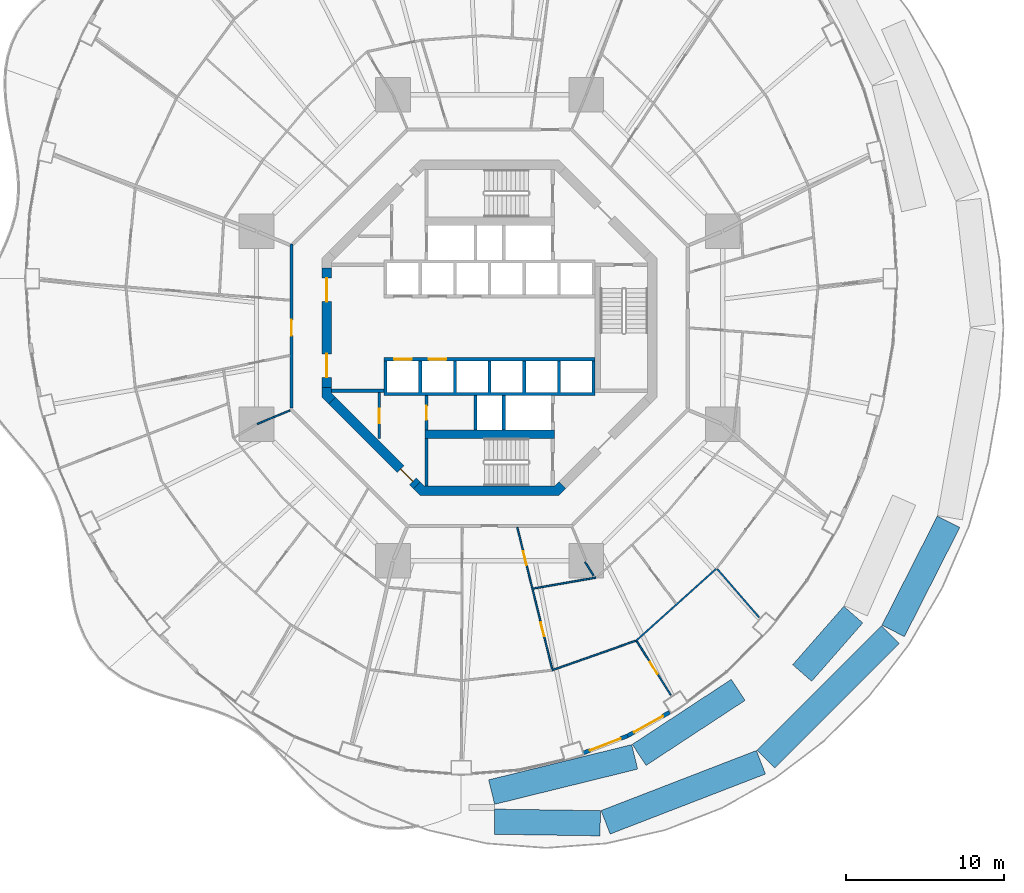
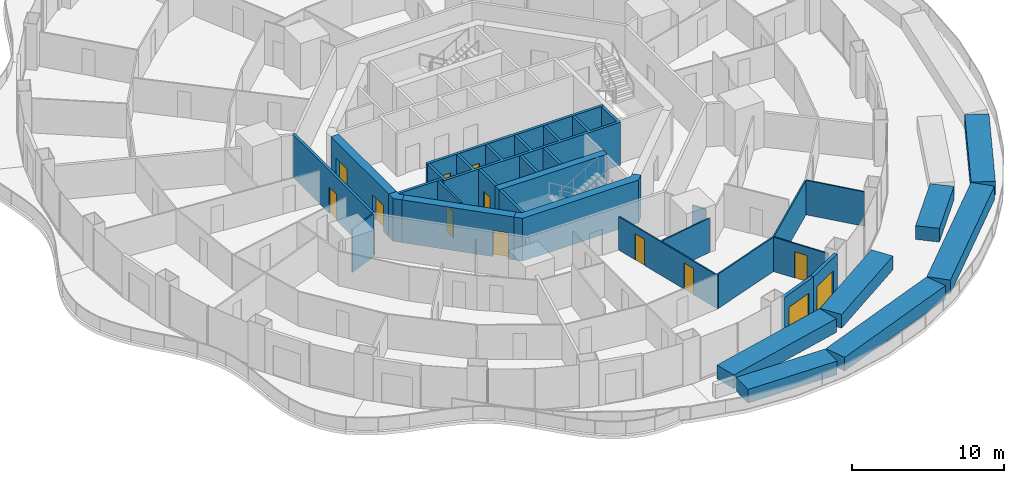
# One storey, part 15 of 22: 31 walls, 13 doors, 13 openings.
"""IFC4 building model written with IfcOpenShell, lengths in metres."""

from ifc_helpers import new_model, si_unit, direction, frame, frame_2d, origin, place, context, subcontext, project, spatial, polyline, rectangle, outline, extrude, material, layer, layer_set, type_object, element, fill, save


model = new_model("IFC4")

# Units and contexts
model_context = context("Model", 3, precision=1e-05, world=origin(), true_north=direction((0.0, 1.0)))
body_context = subcontext(model_context, "Body", "Model", "MODEL_VIEW")
ifc_project = project(units=[si_unit("LENGTHUNIT", "METRE"), si_unit("AREAUNIT", "SQUARE_METRE"), si_unit("VOLUMEUNIT", "CUBIC_METRE"), si_unit("PLANEANGLEUNIT", "RADIAN"), si_unit("MASSUNIT", "GRAM", prefix="KILO")], contexts=[model_context])

# Site, building, storey
site_placement = place(None, origin())
site = spatial("IfcSite", under=ifc_project, at=site_placement, CompositionType="ELEMENT")
building_placement = place(site_placement, origin())
building = spatial("IfcBuilding", under=site, at=building_placement, Name="Nagisa Residences", CompositionType="ELEMENT")
storey_placement = place(building_placement, frame((0.0, 0.0, 73.300048828125)))
storey = spatial("IfcBuildingStorey", under=building, at=storey_placement, Name="L17", CompositionType="ELEMENT", Elevation=73.300048828125)

# Wall, opening, door
ifc_material_1 = material(Name="Gypsum board on steel studs", Category="steel")
ifc_layer_1 = layer(ifc_material_1, 0.199951171875)
ifc_layer_set_1 = layer_set([ifc_layer_1], Name="Apartment entry wall EI60 200")
wall_type_1 = type_object("IfcWallType", Name="Apartment entry wall EI60 200", PredefinedType="PARTITIONING", material=ifc_layer_set_1)
wall_1_placement = place(storey_placement, frame((-12.564697265625, 5.304443359375, 0.0), z_axis=(0.0, 0.0, 1.0), x_axis=(0.0, -1.0, 0.0)))
wall_1 = element("IfcWall", 1, at=wall_1_placement, inside=storey, type_object=wall_type_1, Name="wall:L17:u12", PredefinedType="PARTITIONING", context=body_context, shape_type="SweptSolid", body=[
    extrude(rectangle(XDim=10.408935546875, YDim=0.199951171875, at=frame_2d((5.20458984375, 0.0))), origin(), (0.0, 0.0, 1.0), 3.43994140625),
])
opening_1_placement = place(wall_1_placement, frame((4.804443359375, 0.0, 0.0)))
opening_1 = element("IfcOpeningElement", 2, at=opening_1_placement, cuts=wall_1, Name="Opening L17-U22", PredefinedType="OPENING", context=body_context, shape_type="SweptSolid", body=[
    extrude(rectangle(XDim=1.0, YDim=2.10009765625, at=frame_2d((0.5, 1.050048828125))), frame((0.0, 0.10986328125, 0.0), z_axis=(0.0, -1.0, 0.0), x_axis=(1.0, 0.0, 0.0)), (0.0, 0.0, 1.0), 0.219970703125),
])
ifc_material_2 = material(Name="Timber fire door set", Category="wood")
door_type_1 = type_object("IfcDoorType", Name="Apartment entry door FD30S 1000x2100", OperationType="NOTDEFINED", PredefinedType="DOOR", material=ifc_material_2)
door_1_placement = place(opening_1_placement, frame((1.0, 0.0, 0.0), x_axis=(-1.0, 0.0, 0.0)))
door_1 = element("IfcDoor", 3, at=door_1_placement, inside=storey, type_object=door_type_1, Name="Entry door, Apartment 17B", OperationType="SINGLE_SWING_LEFT", OverallHeight=2.10009765625, OverallWidth=1.0, PredefinedType="DOOR", context=body_context, shape_type="SweptSolid", body=[
    extrude(rectangle(XDim=1.0, YDim=2.10009765625, at=frame_2d((0.5, 1.050048828125))), frame((0.0, 0.02490234375, 0.0), z_axis=(0.0, -1.0, 0.0), x_axis=(1.0, 0.0, 0.0)), (0.0, 0.0, 1.0), 0.050048828125),
])
fill(opening_1, door_1)

# Wall
ifc_material_3 = material(Name="Gypsum board on steel studs", Category="steel")
ifc_layer_2 = layer(ifc_material_3, 0.10009765625)
ifc_layer_set_2 = layer_set([ifc_layer_2], Name="Apartment partition 100")
wall_type_2 = type_object("IfcWallType", Name="Apartment partition 100", PredefinedType="PARTITIONING", material=ifc_layer_set_2)
wall_2_placement = place(storey_placement, frame((-12.6572265625, -5.24267578125, 0.0), z_axis=(0.0, 0.0, 1.0), x_axis=(-0.923864733477, -0.382719158442, 0.0)))
element("IfcWall", 4, at=wall_2_placement, inside=storey, type_object=wall_type_2, Name="wall:L17:u61", PredefinedType="PARTITIONING", context=body_context, shape_type="SweptSolid", body=[
    extrude(rectangle(XDim=2.25, YDim=0.10009765625, at=frame_2d((1.125, 0.0))), origin(), (0.0, 0.0, 1.0), 3.43994140625),
])

# Wall, openings, doors
wall_3_placement = place(storey_placement, frame((1.7587890625, -12.661865234375, 0.0), z_axis=(0.0, 0.0, 1.0), x_axis=(0.239022447434, -0.971014041929, 0.0)))
wall_3 = element("IfcWall", 5, at=wall_3_placement, inside=storey, type_object=wall_type_2, Name="wall:L17:u78", PredefinedType="PARTITIONING", context=body_context, shape_type="SweptSolid", body=[
    extrude(rectangle(XDim=9.37353515625, YDim=0.10009765625, at=frame_2d((4.686767578125, 0.0))), origin(), (0.0, 0.0, 1.0), 2.68701171875),
])
opening_2_placement = place(wall_3_placement, frame((1.552001953125, 0.0, 0.0)))
opening_2 = element("IfcOpeningElement", 6, at=opening_2_placement, cuts=wall_3, Name="Opening L17-U38", PredefinedType="OPENING", context=body_context, shape_type="SweptSolid", body=[
    extrude(rectangle(XDim=0.89990234375, YDim=2.10009765625, at=frame_2d((0.449951171875, 1.050048828125))), frame((0.0, 0.06005859375, 0.0), z_axis=(0.0, -1.0, 0.0), x_axis=(1.0, 0.0, 0.0)), (0.0, 0.0, 1.0), 0.1201171875),
])
opening_3_placement = place(wall_3_placement, frame((6.213623046875, 0.0, 0.0)))
opening_3 = element("IfcOpeningElement", 7, at=opening_3_placement, cuts=wall_3, Name="Opening L17-U40", PredefinedType="OPENING", context=body_context, shape_type="SweptSolid", body=[
    extrude(rectangle(XDim=0.89990234375, YDim=2.10009765625, at=frame_2d((0.449951171875, 1.050048828125))), frame((0.0, 0.06005859375, 0.0), z_axis=(0.0, -1.0, 0.0), x_axis=(1.0, 0.0, 0.0)), (0.0, 0.0, 1.0), 0.1201171875),
])
ifc_material_4 = material(Name="Timber door set", Category="wood")
door_type_2 = type_object("IfcDoorType", Name="Apartment door 900x2100", OperationType="NOTDEFINED", PredefinedType="DOOR", material=ifc_material_4)
door_2_placement = place(opening_2_placement, origin())
door_2 = element("IfcDoor", 8, at=door_2_placement, inside=storey, type_object=door_type_2, Name="Door to family bathroom, Apartment 17C", OperationType="SINGLE_SWING_RIGHT", OverallHeight=2.10009765625, OverallWidth=0.89990234375, PredefinedType="DOOR", context=body_context, shape_type="SweptSolid", body=[
    extrude(rectangle(XDim=0.89990234375, YDim=2.10009765625, at=frame_2d((0.449951171875, 1.050048828125))), frame((0.0, 0.02490234375, 0.0), z_axis=(0.0, -1.0, 0.0), x_axis=(1.0, 0.0, 0.0)), (0.0, 0.0, 1.0), 0.050048828125),
])
fill(opening_2, door_2)
door_3_placement = place(opening_3_placement, origin())
door_3 = element("IfcDoor", 9, at=door_3_placement, inside=storey, type_object=door_type_2, Name="Door to dining room, Apartment 17C", OperationType="SINGLE_SWING_RIGHT", OverallHeight=2.10009765625, OverallWidth=0.89990234375, PredefinedType="DOOR", context=body_context, shape_type="SweptSolid", body=[
    extrude(rectangle(XDim=0.89990234375, YDim=2.10009765625, at=frame_2d((0.449951171875, 1.050048828125))), frame((0.0, 0.02490234375, 0.0), z_axis=(0.0, -1.0, 0.0), x_axis=(1.0, 0.0, 0.0)), (0.0, 0.0, 1.0), 0.050048828125),
])
fill(opening_3, door_3)

# Walls
wall_4_placement = place(storey_placement, frame((2.76513671875, -16.541015625, 0.0), z_axis=(0.0, 0.0, 1.0), x_axis=(0.985002709003, 0.172538874623, 0.0)))
element("IfcWall", 10, at=wall_4_placement, inside=storey, type_object=wall_type_2, Name="wall:L17:u79", PredefinedType="PARTITIONING", context=body_context, shape_type="SweptSolid", body=[
    extrude(rectangle(XDim=4.0341796875, YDim=0.10009765625, at=frame_2d((2.01708984375, 0.0))), origin(), (0.0, 0.0, 1.0), 2.761962890625),
])
wall_5_placement = place(storey_placement, frame((4.034423828125, -21.698486328125, 0.0), z_axis=(0.0, 0.0, 1.0), x_axis=(0.942864271692, 0.333177077794, 0.0)))
element("IfcWall", 11, at=wall_5_placement, inside=storey, type_object=wall_type_2, Name="wall:L17:u80", PredefinedType="PARTITIONING", context=body_context, shape_type="SweptSolid", body=[
    extrude(rectangle(XDim=5.544921875, YDim=0.10009765625, at=frame_2d((2.7724609375, 0.0))), origin(), (0.0, 0.0, 1.0), 2.761962890625),
])

# Wall, opening, door
wall_6_placement = place(storey_placement, frame((9.336181640625, -19.876708984375, 0.0), z_axis=(0.0, 0.0, 1.0), x_axis=(0.533525984139, -0.845783674617, 0.0)))
wall_6 = element("IfcWall", 12, at=wall_6_placement, inside=storey, type_object=wall_type_2, Name="wall:L17:u83", PredefinedType="PARTITIONING", context=body_context, shape_type="SweptSolid", body=[
    extrude(rectangle(XDim=4.03271484375, YDim=0.10009765625, at=frame_2d((2.016357421875, 0.0))), origin(), (0.0, 0.0, 1.0), 2.761962890625),
])
opening_4_placement = place(wall_6_placement, frame((1.56640625, 0.0, 0.0)))
opening_4 = element("IfcOpeningElement", 13, at=opening_4_placement, cuts=wall_6, Name="Opening L17-U43", PredefinedType="OPENING", context=body_context, shape_type="SweptSolid", body=[
    extrude(rectangle(XDim=0.89990234375, YDim=2.10009765625, at=frame_2d((0.449951171875, 1.050048828125))), frame((0.0, 0.06005859375, 0.0), z_axis=(0.0, -1.0, 0.0), x_axis=(1.0, 0.0, 0.0)), (0.0, 0.0, 1.0), 0.1201171875),
])
door_4_placement = place(opening_4_placement, origin())
door_4 = element("IfcDoor", 14, at=door_4_placement, inside=storey, type_object=door_type_2, Name="Door to master bedroom, Apartment 17C", OperationType="SINGLE_SWING_LEFT", OverallHeight=2.10009765625, OverallWidth=0.89990234375, PredefinedType="DOOR", context=body_context, shape_type="SweptSolid", body=[
    extrude(rectangle(XDim=0.89990234375, YDim=2.10009765625, at=frame_2d((0.449951171875, 1.050048828125))), frame((0.0, 0.02490234375, 0.0), z_axis=(0.0, -1.0, 0.0), x_axis=(1.0, 0.0, 0.0)), (0.0, 0.0, 1.0), 0.050048828125),
])
fill(opening_4, door_4)

# Walls
wall_7_placement = place(storey_placement, frame((9.2724609375, -19.86767578125, 0.0), z_axis=(0.0, 0.0, 1.0), x_axis=(0.743884413566, 0.668308296562, 0.0)))
element("IfcWall", 15, at=wall_7_placement, inside=storey, type_object=wall_type_2, Name="wall:L17:u84", PredefinedType="PARTITIONING", context=body_context, shape_type="SweptSolid", body=[
    extrude(rectangle(XDim=6.84521484375, YDim=0.10009765625, at=frame_2d((3.422607421875, 0.0))), origin(), (0.0, 0.0, 1.0), 2.761962890625),
])
wall_8_placement = place(storey_placement, frame((14.4345703125, -15.29736328125, 0.0), z_axis=(0.0, 0.0, 1.0), x_axis=(0.654405107766, -0.756144136345, 0.0)))
element("IfcWall", 16, at=wall_8_placement, inside=storey, type_object=wall_type_2, Name="wall:L17:u87", PredefinedType="PARTITIONING", context=body_context, shape_type="SweptSolid", body=[
    extrude(rectangle(XDim=4.06982421875, YDim=0.10009765625, at=frame_2d((2.034912109375, 0.0))), origin(), (0.0, 0.0, 1.0), 2.761962890625),
])
wall_9_placement = place(storey_placement, frame((6.050537109375, -14.854736328125, 0.0), z_axis=(0.0, 0.0, 1.0), x_axis=(0.533542828537, -0.845773048824, 0.0)))
element("IfcWall", 17, at=wall_9_placement, inside=storey, type_object=wall_type_2, Name="wall:L17:u93", PredefinedType="PARTITIONING", context=body_context, shape_type="SweptSolid", body=[
    extrude(rectangle(XDim=1.0205078125, YDim=0.10009765625, at=frame_2d((0.51025390625, 0.0))), origin(), (0.0, 0.0, 1.0), 3.43994140625),
])

# Wall, opening, door
ifc_material_5 = material(Name="Precast concrete C40/50", Category="concrete")
ifc_layer_3 = layer(ifc_material_5, 0.25)
ifc_layer_set_3 = layer_set([ifc_layer_3], Name="BALCONY DOOR WALL 250")
wall_type_3 = type_object("IfcWallType", Name="BALCONY DOOR WALL 250", PredefinedType="SOLIDWALL", material=ifc_layer_set_3)
wall_10_placement = place(storey_placement, frame((8.75341796875, -25.8818359375, 0.0), z_axis=(0.0, 0.0, 1.0), x_axis=(-0.932837560624, -0.360297218263, 0.0)))
wall_10 = element("IfcWall", 18, at=wall_10_placement, inside=storey, type_object=wall_type_3, Name="wall:L17:bay38", PredefinedType="SOLIDWALL", context=body_context, shape_type="SweptSolid", body=[
    extrude(rectangle(XDim=3.027587890625, YDim=0.25, at=frame_2d((1.513671875, 0.0))), origin(), (0.0, 0.0, 1.0), 3.43994140625),
])
opening_5_placement = place(wall_10_placement, frame((0.463623046875, 0.0, 0.0)))
opening_5 = element("IfcOpeningElement", 19, at=opening_5_placement, cuts=wall_10, Name="Opening BD-L17-13", PredefinedType="OPENING", context=body_context, shape_type="SweptSolid", body=[
    extrude(rectangle(XDim=2.10009765625, YDim=2.39990234375, at=frame_2d((1.050048828125, 1.199951171875))), frame((0.0, 0.135009765625, 0.0), z_axis=(0.0, -1.0, 0.0), x_axis=(1.0, 0.0, 0.0)), (0.0, 0.0, 1.0), 0.27001953125),
])
ifc_material_6 = material(Name="Aluminium and clear glass", Category="aluminium")
door_type_3 = type_object("IfcDoorType", Name="BALCONY SLIDING DOOR 2100x2400", OperationType="SLIDING_TO_LEFT", PredefinedType="DOOR", material=ifc_material_6)
door_5_placement = place(opening_5_placement, origin())
door_5 = element("IfcDoor", 20, at=door_5_placement, inside=storey, type_object=door_type_3, Name="door:L17:bay38", OperationType="SLIDING_TO_LEFT", OverallHeight=2.39990234375, OverallWidth=2.10009765625, PredefinedType="DOOR", context=body_context, shape_type="SweptSolid", body=[
    extrude(rectangle(XDim=2.10009765625, YDim=2.39990234375, at=frame_2d((1.050048828125, 1.199951171875))), frame((0.0, 0.02490234375, 0.0), z_axis=(0.0, -1.0, 0.0), x_axis=(1.0, 0.0, 0.0)), (0.0, 0.0, 1.0), 0.050048828125),
])
fill(opening_5, door_5)

wall_11_placement = place(storey_placement, frame((11.41943359375, -24.38427734375, 0.0), z_axis=(0.0, 0.0, 1.0), x_axis=(-0.872071158476, -0.489379090843, 0.0)))
wall_11 = element("IfcWall", 21, at=wall_11_placement, inside=storey, type_object=wall_type_3, Name="wall:L17:bay39", PredefinedType="SOLIDWALL", context=body_context, shape_type="SweptSolid", body=[
    extrude(rectangle(XDim=3.07568359375, YDim=0.25, at=frame_2d((1.537841796875, 0.0))), origin(), (0.0, 0.0, 1.0), 3.43994140625),
])
opening_6_placement = place(wall_11_placement, frame((0.48779296875, 0.0, 0.0)))
opening_6 = element("IfcOpeningElement", 22, at=opening_6_placement, cuts=wall_11, Name="Opening BD-L17-14", PredefinedType="OPENING", context=body_context, shape_type="SweptSolid", body=[
    extrude(rectangle(XDim=2.10009765625, YDim=2.39990234375, at=frame_2d((1.050048828125, 1.199951171875))), frame((0.0, 0.135009765625, 0.0), z_axis=(0.0, -1.0, 0.0), x_axis=(1.0, 0.0, 0.0)), (0.0, 0.0, 1.0), 0.27001953125),
])
door_6_placement = place(opening_6_placement, origin())
door_6 = element("IfcDoor", 23, at=door_6_placement, inside=storey, type_object=door_type_3, Name="door:L17:bay39", OperationType="SLIDING_TO_LEFT", OverallHeight=2.39990234375, OverallWidth=2.10009765625, PredefinedType="DOOR", context=body_context, shape_type="SweptSolid", body=[
    extrude(rectangle(XDim=2.10009765625, YDim=2.39990234375, at=frame_2d((1.050048828125, 1.199951171875))), frame((0.0, 0.02490234375, 0.0), z_axis=(0.0, -1.0, 0.0), x_axis=(1.0, 0.0, 0.0)), (0.0, 0.0, 1.0), 0.050048828125),
])
fill(opening_6, door_6)

ifc_material_7 = material(Name="Gypsum board on steel studs", Category="steel")
ifc_layer_4 = layer(ifc_material_7, 0.14990234375)
ifc_layer_set_4 = layer_set([ifc_layer_4], Name="Core partition 150")
wall_type_4 = type_object("IfcWallType", Name="Core partition 150", PredefinedType="PARTITIONING", material=ifc_layer_set_4)
wall_12_placement = place(storey_placement, frame((-7.0, -7.02685546875, 0.0), z_axis=(0.0, 0.0, 1.0), x_axis=(0.0, 1.0, 0.0)))
wall_12 = element("IfcWall", 24, at=wall_12_placement, inside=storey, type_object=wall_type_4, Name="wall:L17:SWp", PredefinedType="PARTITIONING", context=body_context, shape_type="SweptSolid", body=[
    extrude(rectangle(XDim=2.9267578125, YDim=0.14990234375, at=frame_2d((1.46337890625, 0.0))), origin(), (0.0, 0.0, 1.0), 3.43994140625),
])
opening_7_placement = place(wall_12_placement, frame((0.97607421875, 0.0, 0.0)))
opening_7 = element("IfcOpeningElement", 25, at=opening_7_placement, cuts=wall_12, Name="Opening L17-C14", PredefinedType="OPENING", context=body_context, shape_type="SweptSolid", body=[
    extrude(rectangle(XDim=0.89990234375, YDim=2.10009765625, at=frame_2d((0.449951171875, 1.050048828125))), frame((0.0, 0.0849609375, 0.0), z_axis=(0.0, -1.0, 0.0), x_axis=(1.0, 0.0, 0.0)), (0.0, 0.0, 1.0), 0.169921875),
])
ifc_material_8 = material(Name="Steel fire door", Category="steel")
door_type_4 = type_object("IfcDoorType", Name="Fire door EI30 900x2100 single swing", OperationType="NOTDEFINED", PredefinedType="DOOR", material=ifc_material_8)
door_7_placement = place(opening_7_placement, origin())
door_7 = element("IfcDoor", 26, at=door_7_placement, inside=storey, type_object=door_type_4, Name="Refuse room door L17", OperationType="SINGLE_SWING_RIGHT", OverallHeight=2.10009765625, OverallWidth=0.89990234375, PredefinedType="DOOR", context=body_context, shape_type="SweptSolid", body=[
    extrude(rectangle(XDim=0.89990234375, YDim=2.10009765625, at=frame_2d((0.449951171875, 1.050048828125))), frame((0.0, 0.02490234375, 0.0), z_axis=(0.0, -1.0, 0.0), x_axis=(1.0, 0.0, 0.0)), (0.0, 0.0, 1.0), 0.050048828125),
])
fill(opening_7, door_7)

# Wall
ifc_material_9 = material(Name="Gypsum board on steel studs", Category="steel")
ifc_layer_5 = layer(ifc_material_9, 0.199951171875)
ifc_layer_set_5 = layer_set([ifc_layer_5], Name="Core partition 200")
wall_type_5 = type_object("IfcWallType", Name="Core partition 200", PredefinedType="PARTITIONING", material=ifc_layer_set_5)
wall_13_placement = place(storey_placement, frame((-10.024658203125, -4.0, 0.0), z_axis=(0.0, 0.0, 1.0), x_axis=(1.0, 0.0, 0.0)))
element("IfcWall", 27, at=wall_13_placement, inside=storey, type_object=wall_type_5, Name="wall:L17:PSW", PredefinedType="PARTITIONING", context=body_context, shape_type="SweptSolid", body=[
    extrude(rectangle(XDim=3.32470703125, YDim=0.199951171875, at=frame_2d((1.662353515625, 0.0))), origin(), (0.0, 0.0, 1.0), 3.43994140625),
])

# Wall, openings, doors
ifc_material_10 = material(Name="Concrete C60", Category="concrete")
ifc_layer_6 = layer(ifc_material_10, 0.60009765625)
ifc_layer_set_6 = layer_set([ifc_layer_6], Name="Core shear wall 600")
wall_type_6 = type_object("IfcWallType", Name="Core shear wall 600", PredefinedType="SHEAR", material=ifc_layer_set_6)
wall_14_placement = place(storey_placement, frame((-10.32470703125, 3.80078125, 0.0), z_axis=(0.0, 0.0, 1.0), x_axis=(0.0, -1.0, 0.0)))
wall_14 = element("IfcWall", 28, at=wall_14_placement, inside=storey, type_object=wall_type_6, Name="wall:L17:core:flat4", PredefinedType="SHEAR", context=body_context, shape_type="SweptSolid", body=[
    extrude(rectangle(XDim=7.6015625, YDim=0.60009765625, at=frame_2d((3.80078125, 0.0))), origin(), (0.0, 0.0, 1.0), 3.43994140625),
])
opening_8_placement = place(wall_14_placement, frame((0.65087890625, 0.0, 0.0)))
opening_8 = element("IfcOpeningElement", 29, at=opening_8_placement, cuts=wall_14, Name="Opening L17-C18", PredefinedType="OPENING", context=body_context, shape_type="SweptSolid", body=[
    extrude(rectangle(XDim=1.5, YDim=2.10009765625, at=frame_2d((0.75, 1.050048828125))), frame((0.0, 0.31005859375, 0.0), z_axis=(0.0, -1.0, 0.0), x_axis=(1.0, 0.0, 0.0)), (0.0, 0.0, 1.0), 0.6201171875),
])
opening_9_placement = place(wall_14_placement, frame((5.450927734375, 0.0, 0.0)))
opening_9 = element("IfcOpeningElement", 30, at=opening_9_placement, cuts=wall_14, Name="Opening L17-C19", PredefinedType="OPENING", context=body_context, shape_type="SweptSolid", body=[
    extrude(rectangle(XDim=1.5, YDim=2.10009765625, at=frame_2d((0.75, 1.050048828125))), frame((0.0, 0.31005859375, 0.0), z_axis=(0.0, -1.0, 0.0), x_axis=(1.0, 0.0, 0.0)), (0.0, 0.0, 1.0), 0.6201171875),
])
ifc_material_11 = material(Name="Steel fire door", Category="steel")
door_type_5 = type_object("IfcDoorType", Name="Fire door EI60 1500x2100 double door single swing", OperationType="DOUBLE_DOOR_SINGLE_SWING", PredefinedType="DOOR", material=ifc_material_11)
door_8_placement = place(opening_8_placement, origin())
door_8 = element("IfcDoor", 31, at=door_8_placement, inside=storey, type_object=door_type_5, Name="Lift lobby door L17 1", OperationType="DOUBLE_DOOR_SINGLE_SWING", OverallHeight=2.10009765625, OverallWidth=1.5, PredefinedType="DOOR", context=body_context, shape_type="SweptSolid", body=[
    extrude(rectangle(XDim=1.5, YDim=2.10009765625, at=frame_2d((0.75, 1.050048828125))), frame((0.0, 0.02490234375, 0.0), z_axis=(0.0, -1.0, 0.0), x_axis=(1.0, 0.0, 0.0)), (0.0, 0.0, 1.0), 0.050048828125),
])
fill(opening_8, door_8)
door_9_placement = place(opening_9_placement, origin())
door_9 = element("IfcDoor", 32, at=door_9_placement, inside=storey, type_object=door_type_5, Name="Lift lobby door L17 2", OperationType="DOUBLE_DOOR_SINGLE_SWING", OverallHeight=2.10009765625, OverallWidth=1.5, PredefinedType="DOOR", context=body_context, shape_type="SweptSolid", body=[
    extrude(rectangle(XDim=1.5, YDim=2.10009765625, at=frame_2d((0.75, 1.050048828125))), frame((0.0, 0.02490234375, 0.0), z_axis=(0.0, -1.0, 0.0), x_axis=(1.0, 0.0, 0.0)), (0.0, 0.0, 1.0), 0.050048828125),
])
fill(opening_9, door_9)

# Wall, opening, door
wall_15_placement = place(storey_placement, frame((-9.98828125, -4.613037109375, 0.0), z_axis=(0.0, 0.0, 1.0), x_axis=(0.707106781187, -0.707106781187, 0.0)))
wall_15 = element("IfcWall", 33, at=wall_15_placement, inside=storey, type_object=wall_type_6, Name="wall:L17:core:flat5", PredefinedType="SHEAR", context=body_context, shape_type="SweptSolid", body=[
    extrude(rectangle(XDim=7.601806640625, YDim=0.60009765625, at=frame_2d((3.80078125, 0.0))), origin(), (0.0, 0.0, 1.0), 3.43994140625),
])
opening_10_placement = place(wall_15_placement, frame((6.15087890625, 0.0, 0.0)))
opening_10 = element("IfcOpeningElement", 34, at=opening_10_placement, cuts=wall_15, Name="Opening L17-C21", PredefinedType="OPENING", context=body_context, shape_type="SweptSolid", body=[
    extrude(rectangle(XDim=1.10009765625, YDim=2.10009765625, at=frame_2d((0.550048828125, 1.050048828125))), frame((0.0, 0.31005859375, 0.0), z_axis=(0.0, -1.0, 0.0), x_axis=(1.0, 0.0, 0.0)), (0.0, 0.0, 1.0), 0.6201171875),
])
ifc_material_12 = material(Name="Steel fire door", Category="steel")
door_type_6 = type_object("IfcDoorType", Name="Fire door EI60 1100x2100 single swing", OperationType="NOTDEFINED", PredefinedType="DOOR", material=ifc_material_12)
door_10_placement = place(opening_10_placement, origin())
door_10 = element("IfcDoor", 35, at=door_10_placement, inside=storey, type_object=door_type_6, Name="Housekeeping lobby door L17", OperationType="SINGLE_SWING_LEFT", OverallHeight=2.10009765625, OverallWidth=1.10009765625, PredefinedType="DOOR", context=body_context, shape_type="SweptSolid", body=[
    extrude(rectangle(XDim=1.10009765625, YDim=2.10009765625, at=frame_2d((0.550048828125, 1.050048828125))), frame((0.0, 0.02490234375, 0.0), z_axis=(0.0, -1.0, 0.0), x_axis=(1.0, 0.0, 0.0)), (0.0, 0.0, 1.0), 0.050048828125),
])
fill(opening_10, door_10)

# Walls
wall_16_placement = place(storey_placement, origin())
element("IfcWall", 36, at=wall_16_placement, inside=storey, type_object=wall_type_6, Name="wall:L17:core:pier4", PredefinedType="SHEAR", context=body_context, shape_type="SweptSolid", body=[
    extrude(outline(polyline([(-10.62451171875, -3.80078125), (-10.024658203125, -3.80078125), (-10.024658203125, -4.15234375), (-9.776123046875, -4.40087890625), (-10.200439453125, -4.8251953125), (-10.62451171875, -4.40087890625), (-10.62451171875, -3.80078125)])), origin(), (0.0, 0.0, 1.0), 3.43994140625),
])
wall_17_placement = place(storey_placement, origin())
element("IfcWall", 37, at=wall_17_placement, inside=storey, type_object=wall_type_6, Name="wall:L17:core:flat6", PredefinedType="SHEAR", context=body_context, shape_type="SweptSolid", body=[
    extrude(outline(polyline([(-4.15234375, -10.024658203125), (4.15234375, -10.024658203125), (4.40087890625, -9.776123046875), (4.8251953125, -10.200439453125), (4.40087890625, -10.62451171875), (-4.40087890625, -10.62451171875), (-4.8251953125, -10.200439453125), (-4.40087890625, -9.776123046875), (-4.15234375, -10.024658203125)])), origin(), (0.0, 0.0, 1.0), 3.43994140625),
])

# Wall, opening, door
ifc_material_13 = material(Name="Concrete C60", Category="concrete")
ifc_layer_7 = layer(ifc_material_13, 0.199951171875)
ifc_layer_set_7 = layer_set([ifc_layer_7], Name="Lift shaft wall 200")
wall_type_7 = type_object("IfcWallType", Name="Lift shaft wall 200", PredefinedType="SOLIDWALL", material=ifc_layer_set_7)
wall_18_placement = place(storey_placement, frame((-4.0, -6.5, 0.0), z_axis=(0.0, 0.0, 1.0), x_axis=(0.0, 1.0, 0.0)))
wall_18 = element("IfcWall", 38, at=wall_18_placement, inside=storey, type_object=wall_type_7, Name="wall:L17:Sb4", PredefinedType="SOLIDWALL", context=body_context, shape_type="SweptSolid", body=[
    extrude(rectangle(XDim=2.199951171875, YDim=0.199951171875, at=frame_2d((1.10009765625, 0.0))), origin(), (0.0, 0.0, 1.0), 3.43994140625),
])
opening_11_placement = place(wall_18_placement, frame((0.64990234375, 0.0, 0.0)))
opening_11 = element("IfcOpeningElement", 39, at=opening_11_placement, cuts=wall_18, Name="Opening L17-C15", PredefinedType="OPENING", context=body_context, shape_type="SweptSolid", body=[
    extrude(rectangle(XDim=0.89990234375, YDim=2.10009765625, at=frame_2d((0.449951171875, 1.050048828125))), frame((0.0, 0.10986328125, 0.0), z_axis=(0.0, -1.0, 0.0), x_axis=(1.0, 0.0, 0.0)), (0.0, 0.0, 1.0), 0.219970703125),
])
door_11_placement = place(opening_11_placement, frame((0.89990234375, 0.0, 0.0), x_axis=(-1.0, 0.0, 0.0)))
door_11 = element("IfcDoor", 40, at=door_11_placement, inside=storey, type_object=door_type_4, Name="Refuse room door L17", OperationType="SINGLE_SWING_LEFT", OverallHeight=2.10009765625, OverallWidth=0.89990234375, PredefinedType="DOOR", context=body_context, shape_type="SweptSolid", body=[
    extrude(rectangle(XDim=0.89990234375, YDim=2.10009765625, at=frame_2d((0.449951171875, 1.050048828125))), frame((0.0, 0.02490234375, 0.0), z_axis=(0.0, -1.0, 0.0), x_axis=(1.0, 0.0, 0.0)), (0.0, 0.0, 1.0), 0.050048828125),
])
fill(opening_11, door_11)

# Wall, openings, doors
wall_19_placement = place(storey_placement, frame((-6.699951171875, -2.0, 0.0), z_axis=(0.0, 0.0, 1.0), x_axis=(1.0, 0.0, 0.0)))
wall_19 = element("IfcWall", 41, at=wall_19_placement, inside=storey, type_object=wall_type_7, Name="wall:L17:Sfront", PredefinedType="SOLIDWALL", context=body_context, shape_type="SweptSolid", body=[
    extrude(rectangle(XDim=13.39990234375, YDim=0.199951171875, at=frame_2d((6.699951171875, 0.0))), origin(), (0.0, 0.0, 1.0), 3.43994140625),
])
opening_12_placement = place(wall_19_placement, frame((0.64990234375, 0.0, 0.0)))
opening_12 = element("IfcOpeningElement", 42, at=opening_12_placement, cuts=wall_19, Name="Opening L17-C04", PredefinedType="OPENING", context=body_context, shape_type="SweptSolid", body=[
    extrude(rectangle(XDim=1.10009765625, YDim=2.10009765625, at=frame_2d((0.550048828125, 1.050048828125))), frame((0.0, 0.10986328125, 0.0), z_axis=(0.0, -1.0, 0.0), x_axis=(1.0, 0.0, 0.0)), (0.0, 0.0, 1.0), 0.219970703125),
])
opening_13_placement = place(wall_19_placement, frame((2.85009765625, 0.0, 0.0)))
opening_13 = element("IfcOpeningElement", 43, at=opening_13_placement, cuts=wall_19, Name="Opening L17-C05", PredefinedType="OPENING", context=body_context, shape_type="SweptSolid", body=[
    extrude(rectangle(XDim=1.10009765625, YDim=2.10009765625, at=frame_2d((0.550048828125, 1.050048828125))), frame((0.0, 0.10986328125, 0.0), z_axis=(0.0, -1.0, 0.0), x_axis=(1.0, 0.0, 0.0)), (0.0, 0.0, 1.0), 0.219970703125),
])
ifc_material_14 = material(Name="Stainless steel", Category="steel")
door_type_7 = type_object("IfcDoorType", Name="Lift landing door 1100x2100", OperationType="DOUBLE_DOOR_SLIDING", PredefinedType="DOOR", material=ifc_material_14)
door_12_placement = place(opening_12_placement, origin())
door_12 = element("IfcDoor", 44, at=door_12_placement, inside=storey, type_object=door_type_7, Name="Landing door A4 L17", OperationType="DOUBLE_DOOR_SLIDING", OverallHeight=2.10009765625, OverallWidth=1.10009765625, PredefinedType="DOOR", context=body_context, shape_type="SweptSolid", body=[
    extrude(rectangle(XDim=1.10009765625, YDim=2.10009765625, at=frame_2d((0.550048828125, 1.050048828125))), frame((0.0, 0.02490234375, 0.0), z_axis=(0.0, -1.0, 0.0), x_axis=(1.0, 0.0, 0.0)), (0.0, 0.0, 1.0), 0.050048828125),
])
fill(opening_12, door_12)
door_13_placement = place(opening_13_placement, origin())
door_13 = element("IfcDoor", 45, at=door_13_placement, inside=storey, type_object=door_type_7, Name="Landing door A5 L17", OperationType="DOUBLE_DOOR_SLIDING", OverallHeight=2.10009765625, OverallWidth=1.10009765625, PredefinedType="DOOR", context=body_context, shape_type="SweptSolid", body=[
    extrude(rectangle(XDim=1.10009765625, YDim=2.10009765625, at=frame_2d((0.550048828125, 1.050048828125))), frame((0.0, 0.02490234375, 0.0), z_axis=(0.0, -1.0, 0.0), x_axis=(1.0, 0.0, 0.0)), (0.0, 0.0, 1.0), 0.050048828125),
])
fill(opening_13, door_13)

# Walls
for number, where, z_axis, x_axis, name in (
    (46, (-0.89990234375, -6.5, 0.0), (0.0, 0.0, 1.0), (0.0, 1.0, 0.0), "wall:L17:Sb1"),
    (47, (0.89990234375, -6.5, 0.0), (0.0, 0.0, 1.0), (0.0, 1.0, 0.0), "wall:L17:Sb2"),
):
    element("IfcWall", number, at=place(storey_placement, frame(where, z_axis=z_axis, x_axis=x_axis)), inside=storey, type_object=wall_type_7, Name=name, PredefinedType="SOLIDWALL", context=body_context, shape_type="SweptSolid", body=[
        extrude(rectangle(XDim=2.199951171875, YDim=0.199951171875, at=frame_2d((1.10009765625, 0.0))), origin(), (0.0, 0.0, 1.0), 3.43994140625),
    ])
wall_20_placement = place(storey_placement, origin())
element("IfcWall", 48, at=wall_20_placement, inside=storey, type_object=wall_type_7, Name="wall:L17:Sback", PredefinedType="SOLIDWALL", context=body_context, shape_type="SweptSolid", body=[
    extrude(outline(polyline([(-6.699951171875, -2.10009765625), (-6.5, -2.10009765625), (-6.5, -4.10009765625), (-4.5, -4.10009765625), (-4.5, -2.10009765625), (-4.300048828125, -2.10009765625), (-4.300048828125, -4.10009765625), (-2.300048828125, -4.10009765625), (-2.300048828125, -2.10009765625), (-2.10009765625, -2.10009765625), (-2.10009765625, -4.10009765625), (-0.10009765625, -4.10009765625), (-0.10009765625, -2.10009765625), (0.10009765625, -2.10009765625), (0.10009765625, -4.10009765625), (2.10009765625, -4.10009765625), (2.10009765625, -2.10009765625), (2.300048828125, -2.10009765625), (2.300048828125, -4.10009765625), (4.300048828125, -4.10009765625), (4.300048828125, -2.10009765625), (4.5, -2.10009765625), (4.5, -4.10009765625), (6.5, -4.10009765625), (6.5, -2.10009765625), (6.699951171875, -2.10009765625), (6.699951171875, -4.300048828125), (-6.699951171875, -4.300048828125), (-6.699951171875, -2.10009765625)])), origin(), (0.0, 0.0, 1.0), 3.43994140625),
])
ifc_material_15 = material(Name="Precast concrete C30/37", Category="concrete")
ifc_layer_8 = layer(ifc_material_15, 1.60009765625)
ifc_layer_set_8 = layer_set([ifc_layer_8], Name="PLANTER")
wall_type_8 = type_object("IfcWallType", Name="PLANTER", PredefinedType="SOLIDWALL", material=ifc_layer_set_8)
wall_21_placement = place(storey_placement, frame((0.128173828125, -29.44921875, 0.0), z_axis=(0.0, 0.0, 1.0), x_axis=(0.970994070272, 0.239103566467, 0.0)))
element("IfcWall", 49, at=wall_21_placement, inside=storey, type_object=wall_type_8, Name="planter:L17:garden002", PredefinedType="SOLIDWALL", context=body_context, shape_type="SweptSolid", body=[
    extrude(rectangle(XDim=9.34375, YDim=1.60009765625, at=frame_2d((4.671875, 0.0))), origin(), (0.0, 0.0, 1.0), 1.099853515625),
])
wall_22_placement = place(storey_placement, frame((7.01708984375, -31.42578125, 0.0), z_axis=(0.0, 0.0, 1.0), x_axis=(-0.999888716248, 0.014918281429, 0.0)))
element("IfcWall", 50, at=wall_22_placement, inside=storey, type_object=wall_type_8, Name="planter:L17:garden003", PredefinedType="SOLIDWALL", context=body_context, shape_type="SweptSolid", body=[
    extrude(rectangle(XDim=6.709716796875, YDim=1.60009765625, at=frame_2d((3.35498046875, 0.0))), origin(), (0.0, 0.0, 1.0), 1.099853515625),
])
wall_23_placement = place(storey_placement, frame((9.485107421875, -27.09130859375, 0.0), z_axis=(0.0, 0.0, 1.0), x_axis=(0.8357902563, 0.549048857091, 0.0)))
element("IfcWall", 51, at=wall_23_placement, inside=storey, type_object=wall_type_8, Name="planter:L17:garden004", PredefinedType="SOLIDWALL", context=body_context, shape_type="SweptSolid", body=[
    extrude(rectangle(XDim=7.513916015625, YDim=1.60009765625, at=frame_2d((3.7568359375, 0.0))), origin(), (0.0, 0.0, 1.0), 1.099853515625),
])
wall_24_placement = place(storey_placement, frame((17.208984375, -27.557373046875, 0.0), z_axis=(0.0, 0.0, 1.0), x_axis=(-0.932765991622, -0.360482461255, 0.0)))
element("IfcWall", 52, at=wall_24_placement, inside=storey, type_object=wall_type_8, Name="planter:L17:garden005", PredefinedType="SOLIDWALL", context=body_context, shape_type="SweptSolid", body=[
    extrude(rectangle(XDim=10.563232421875, YDim=1.60009765625, at=frame_2d((5.28173828125, 0.0))), origin(), (0.0, 0.0, 1.0), 1.099853515625),
])
wall_25_placement = place(storey_placement, frame((25.423095703125, -19.46484375, 0.0), z_axis=(0.0, 0.0, 1.0), x_axis=(-0.707707630173, -0.706505421208, 0.0)))
element("IfcWall", 53, at=wall_25_placement, inside=storey, type_object=wall_type_8, Name="planter:L17:garden007", PredefinedType="SOLIDWALL", context=body_context, shape_type="SweptSolid", body=[
    extrude(rectangle(XDim=11.169189453125, YDim=1.60009765625, at=frame_2d((5.58447265625, 0.0))), origin(), (0.0, 0.0, 1.0), 1.099853515625),
])
wall_26_placement = place(storey_placement, frame((29.105712890625, -12.30712890625, 0.0), z_axis=(0.0, 0.0, 1.0), x_axis=(-0.452415298041, -0.891807377239, 0.0)))
element("IfcWall", 54, at=wall_26_placement, inside=storey, type_object=wall_type_8, Name="planter:L17:garden010", PredefinedType="SOLIDWALL", context=body_context, shape_type="SweptSolid", body=[
    extrude(rectangle(XDim=7.760986328125, YDim=1.60009765625, at=frame_2d((3.88037109375, 0.0))), origin(), (0.0, 0.0, 1.0), 1.099853515625),
])
wall_27_placement = place(storey_placement, frame((19.822265625, -21.89794921875, 0.0), z_axis=(0.0, 0.0, 1.0), x_axis=(0.658911677727, 0.752220314107, 0.0)))
element("IfcWall", 55, at=wall_27_placement, inside=storey, type_object=wall_type_8, Name="planter:L17:garden113", PredefinedType="SOLIDWALL", context=body_context, shape_type="SweptSolid", body=[
    extrude(rectangle(XDim=4.92431640625, YDim=1.60009765625, at=frame_2d((2.462158203125, 0.0))), origin(), (0.0, 0.0, 1.0), 1.099853515625),
])
ifc_material_16 = material(Name="Concrete C60", Category="concrete")
ifc_layer_9 = layer(ifc_material_16, 0.199951171875)
ifc_layer_set_9 = layer_set([ifc_layer_9], Name="Stair enclosure wall 200")
wall_type_9 = type_object("IfcWallType", Name="Stair enclosure wall 200", PredefinedType="SOLIDWALL", material=ifc_layer_set_9)
wall_28_placement = place(storey_placement, origin())
element("IfcWall", 56, at=wall_28_placement, inside=storey, type_object=wall_type_9, Name="wall:L17:SS_w", PredefinedType="SOLIDWALL", context=body_context, shape_type="SweptSolid", body=[
    extrude(outline(polyline([(-3.89990234375, -10.024658203125), (-4.10009765625, -10.024658203125), (-4.10009765625, -7.024658203125), (-3.89990234375, -7.024658203125), (-3.89990234375, -10.024658203125)])), origin(), (0.0, 0.0, 1.0), 3.43994140625),
])
wall_29_placement = place(storey_placement, origin())
element("IfcWall", 57, at=wall_29_placement, inside=storey, type_object=wall_type_9, Name="wall:L17:SS_n", PredefinedType="SOLIDWALL", context=body_context, shape_type="SweptSolid", body=[
    extrude(outline(polyline([(4.10009765625, -7.024658203125), (-4.10009765625, -7.024658203125), (-4.10009765625, -6.5), (4.10009765625, -6.5), (4.10009765625, -7.024658203125)])), origin(), (0.0, 0.0, 1.0), 3.43994140625),
])

save(model, "model.ifc")
